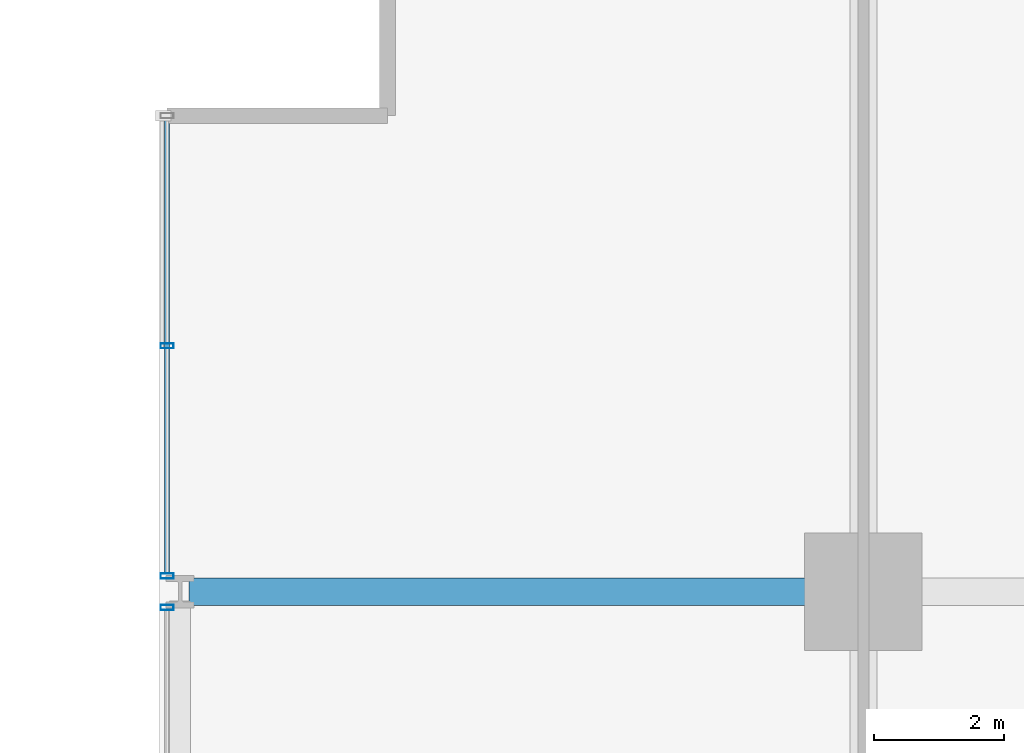
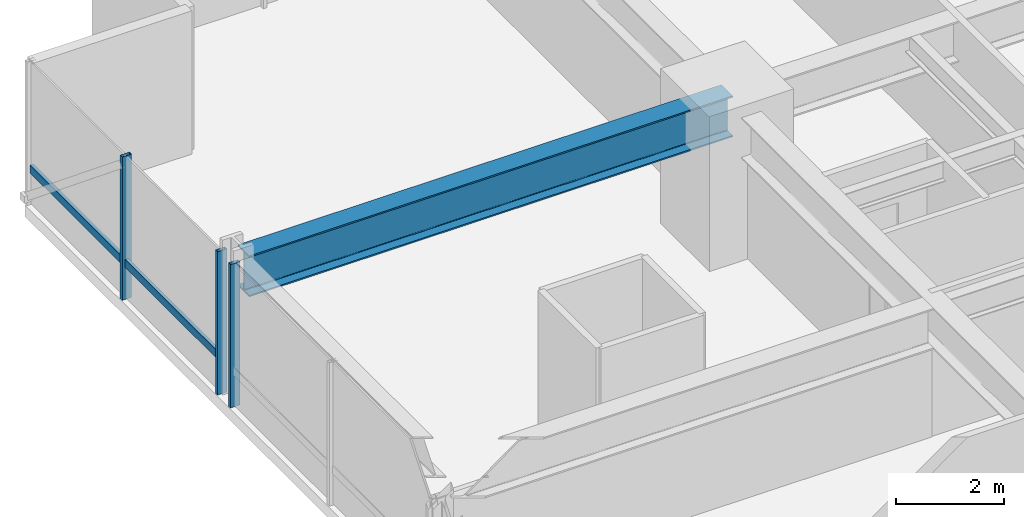
# One storey, part 19 of 42: 4 members, 1 beam, 2 elements without a shape of their own.
"""IFC4 building model written with IfcOpenShell, lengths in metres."""

import ifcopenshell
import ifcopenshell.guid

model = None  # the IFC model being written
_history = None  # IfcOwnerHistory: only IFC2X3 demands one
_inside = {}  # id of a spatial element -> (the spatial element, [elements in it])
_under = {}  # id of a project, library or spatial element -> (it, [spatial elements below it])
_declared = {}  # id of a project -> (the project, [libraries it declares])
_typed = {}  # id of a type object -> (the type object, [elements of that type])
_made_of = {}  # id of a material, layer set ... -> (it, [elements and type objects made of it])


def new_model(schema):
    """Start an empty IFC model of exactly this schema.

    Asked for "IFC4X3", IfcOpenShell would pick the latest addendum, in which some entities
    have other attributes; the version numbers below select the first issue.
    IFC2X3 requires an IfcOwnerHistory on every rooted entity: one is made here for all.
    """
    global model, _history
    if schema == "IFC4X3":
        model = ifcopenshell.file(schema_version=(4, 3, 0, 0))
    else:
        model = ifcopenshell.file(schema=schema)
    _inside.clear()
    _under.clear()
    _declared.clear()
    _typed.clear()
    _made_of.clear()
    _history = None
    if model.schema == "IFC2X3":
        org = make("IfcOrganization", Name="unknown")
        user = make(
            "IfcPersonAndOrganization",
            ThePerson=make("IfcPerson", FamilyName="unknown"),
            TheOrganization=org,
        )
        app = make(
            "IfcApplication",
            ApplicationDeveloper=org,
            Version="unknown",
            ApplicationFullName="unknown",
            ApplicationIdentifier="unknown",
        )
        _history = make(
            "IfcOwnerHistory",
            OwningUser=user,
            OwningApplication=app,
            ChangeAction="ADDED",
            CreationDate=0,
        )
    return model


def make(cls, **values):
    """One entity of the class cls with the attributes given. An attribute that is None is left unset."""
    return model.create_entity(
        cls, **{name: value for name, value in values.items() if value is not None}
    )


def rooted(cls, **values):
    """An entity with a GlobalId (a new one), such as an element, a storey or a relation."""
    return make(cls, GlobalId=ifcopenshell.guid.new(), OwnerHistory=_history, **values)


def si_unit(unit_type, name, prefix=None):
    """IfcSIUnit, for example si_unit("LENGTHUNIT", "METRE", prefix="MILLI")."""
    return make("IfcSIUnit", UnitType=unit_type, Prefix=prefix, Name=name)


def assignment(units):
    """IfcUnitAssignment: the units of a project."""
    return None if units is None else make("IfcUnitAssignment", Units=units)


def point(xyz):
    """IfcCartesianPoint."""
    return None if xyz is None else make("IfcCartesianPoint", Coordinates=xyz)


def direction(xyz):
    """IfcDirection."""
    return None if xyz is None else make("IfcDirection", DirectionRatios=xyz)


def frame(location, z_axis=None, x_axis=None):
    """IfcAxis2Placement3D, a coordinate frame: its origin and axes. An axis left out is left unset."""
    return make(
        "IfcAxis2Placement3D",
        Location=point(location),
        Axis=direction(z_axis),
        RefDirection=direction(x_axis),
    )


def frame_2d(location, x_axis=None):
    """IfcAxis2Placement2D, a coordinate frame in the plane: its origin and x axis."""
    return make(
        "IfcAxis2Placement2D", Location=point(location), RefDirection=direction(x_axis)
    )


def origin():
    """The frame at (0, 0, 0) with its axes left unset."""
    return frame((0.0, 0.0, 0.0))


def origin_2d():
    """The frame at (0, 0) in the plane with its x axis left unset."""
    return frame_2d((0.0, 0.0))


def place(relative_to, where):
    """IfcLocalPlacement: puts the frame where relative to a parent placement (None: the world)."""
    return make(
        "IfcLocalPlacement", PlacementRelTo=relative_to, RelativePlacement=where
    )


def context(
    kind, dimensions, precision=None, world=None, true_north=None, identifier=None
):
    """IfcGeometricRepresentationContext, for example the 3D "Model" context."""
    return make(
        "IfcGeometricRepresentationContext",
        ContextIdentifier=identifier,
        ContextType=kind,
        CoordinateSpaceDimension=dimensions,
        Precision=precision,
        WorldCoordinateSystem=world,
        TrueNorth=true_north,
    )


def subcontext(parent, identifier, kind, view, scale=None):
    """IfcGeometricRepresentationSubContext, for example "Body" below "Model"."""
    return make(
        "IfcGeometricRepresentationSubContext",
        ContextIdentifier=identifier,
        ContextType=kind,
        ParentContext=parent,
        TargetScale=scale,
        TargetView=view,
    )


def project(units=None, contexts=None):
    """IfcProject with its units and contexts."""
    return rooted(
        "IfcProject",
        Name="project",
        RepresentationContexts=contexts,
        UnitsInContext=assignment(units),
    )


def spatial(cls, under=None, at=None, **own):
    """A site, building, storey or space (cls), placed at a placement, below another one or the project."""
    s = rooted(cls, ObjectPlacement=at, **own)
    if under is not None:
        _under.setdefault(under.id(), (under, []))[1].append(s)
    return s


def profile(cls, at=None, kind="AREA", **sizes):
    """A parametric profile (cls). Its sizes go by their IFC names, for example OverallWidth=200.0."""
    return make(cls, ProfileType=kind, Position=at, **sizes)


def hollow_rectangle(**sizes):
    """IfcRectangleHollowProfileDef."""
    return profile("IfcRectangleHollowProfileDef", **sizes)


def i_section(**sizes):
    """IfcIShapeProfileDef."""
    return profile("IfcIShapeProfileDef", **sizes)


def extrude(swept, where, along, depth):
    """IfcExtrudedAreaSolid: the profile swept, set in the frame where, extruded along a direction by depth."""
    return make(
        "IfcExtrudedAreaSolid",
        SweptArea=swept,
        Position=where,
        ExtrudedDirection=direction(along),
        Depth=depth,
    )


def shape(context_of_items, identifier, shape_type, items):
    """IfcShapeRepresentation: the items that make up one representation, for example the "Body"."""
    return make(
        "IfcShapeRepresentation",
        ContextOfItems=context_of_items,
        RepresentationIdentifier=identifier,
        RepresentationType=shape_type,
        Items=items,
    )


def material(Name=None, Category=None):
    """IfcMaterial."""
    return make("IfcMaterial", Name=Name, Category=Category)


def layer(
    of_material, thickness, ventilated=None, Name=None, Category=None, Priority=None
):
    """IfcMaterialLayer: one layer of a wall or slab, of a material (None: an air gap)."""
    return make(
        "IfcMaterialLayer",
        Material=of_material,
        LayerThickness=thickness,
        IsVentilated=ventilated,
        Name=Name,
        Category=Category,
        Priority=Priority,
    )


def layer_set(layers, Name=None):
    """IfcMaterialLayerSet."""
    return make("IfcMaterialLayerSet", MaterialLayers=layers, LayerSetName=Name)


def material_profile(
    of_material, cross_section, Name=None, Category=None, Priority=None
):
    """IfcMaterialProfile: a cross section and its material."""
    return make(
        "IfcMaterialProfile",
        Name=Name,
        Material=of_material,
        Profile=cross_section,
        Priority=Priority,
        Category=Category,
    )


def profile_set(profiles, Name=None, composite=None):
    """IfcMaterialProfileSet."""
    return make(
        "IfcMaterialProfileSet",
        Name=Name,
        MaterialProfiles=profiles,
        CompositeProfile=composite,
    )


def made_of(thing, what):
    """Note that an element or type object is made of a material, layer set ...; save() writes the relation."""
    if what is not None:
        _made_of.setdefault(what.id(), (what, []))[1].append(thing)
    return thing


def type_object(cls, material=None, **own):
    """A type object (cls), such as IfcWallType, which elements share."""
    return made_of(rooted(cls, **own), material)


def element(
    cls,
    number,
    at=None,
    inside=None,
    cuts=None,
    type_object=None,
    material=None,
    context=None,
    identifier="Body",
    shape_type=None,
    held_by="IfcProductDefinitionShape",
    body=None,
    shapes=None,
    **own,
):
    """One element of the class cls, such as IfcWall. Its Tag is "e" and its number.

    at: its placement. inside: the storey or other place that contains it. cuts: it is an
    opening in that element (IfcRelVoidsElement). A single representation is given by context,
    identifier, shape_type and body (its items); several are given by shapes. held_by: the class
    of the entity that holds the representations. save() writes the other relations.
    """
    e = rooted(cls, Tag="e%d" % number, ObjectPlacement=at, **own)
    if body is not None:
        shapes = [shape(context, identifier, shape_type, body)]
    if shapes is not None:
        e.Representation = make(held_by, Representations=shapes)
    if inside is not None:
        _inside.setdefault(inside.id(), (inside, []))[1].append(e)
    if cuts is not None:
        rooted(
            "IfcRelVoidsElement", RelatingBuildingElement=cuts, RelatedOpeningElement=e
        )
    if type_object is not None:
        _typed.setdefault(type_object.id(), (type_object, []))[1].append(e)
    return made_of(e, material)


def aggregate(whole, parts):
    """IfcRelAggregates: a whole, such as a stair, and the parts it consists of."""
    return rooted("IfcRelAggregates", RelatingObject=whole, RelatedObjects=parts)


def save(model, path):
    """Write the relations noted so far, then the file.

    IfcRelAggregates (storeys below a building ...), IfcRelContainedInSpatialStructure (elements
    in a storey), IfcRelDefinesByType, IfcRelAssociatesMaterial and IfcRelDeclares: one each for
    every whole, place, type object, material and project.
    """
    for whole, parts in _under.values():
        aggregate(whole, parts)
    for where, things in _inside.values():
        rooted(
            "IfcRelContainedInSpatialStructure",
            RelatedElements=things,
            RelatingStructure=where,
        )
    for kind, things in _typed.values():
        rooted("IfcRelDefinesByType", RelatedObjects=things, RelatingType=kind)
    for what, things in _made_of.values():
        rooted("IfcRelAssociatesMaterial", RelatedObjects=things, RelatingMaterial=what)
    for by, libraries in _declared.values():
        rooted("IfcRelDeclares", RelatingContext=by, RelatedDefinitions=libraries)
    model.write(path)


model = new_model("IFC4")

# Units and contexts
model_context = context("Model", 3, precision=1e-05, world=origin(), true_north=direction((0.0, 1.0)))
body_context = subcontext(model_context, "Body", "Model", "MODEL_VIEW")
ifc_project = project(units=[si_unit("LENGTHUNIT", "METRE"), si_unit("AREAUNIT", "SQUARE_METRE"), si_unit("VOLUMEUNIT", "CUBIC_METRE"), si_unit("PLANEANGLEUNIT", "RADIAN"), si_unit("MASSUNIT", "GRAM", prefix="KILO")], contexts=[model_context])

# Site, building, storey
site_placement = place(None, origin())
site = spatial("IfcSite", under=ifc_project, at=site_placement, CompositionType="ELEMENT")
building_placement = place(site_placement, origin())
building = spatial("IfcBuilding", under=site, at=building_placement, Name="Drelvath Grand Hotel", CompositionType="ELEMENT")
storey_placement = place(building_placement, frame((0.0, 0.0, 33.199951171875)))
storey = spatial("IfcBuildingStorey", under=building, at=storey_placement, Name="L06", CompositionType="ELEMENT", Elevation=33.199951171875)

# Curtain wall, member
ifc_material_1 = material(Name="Warm Bronze Anodised Aluminium Frame", Category="aluminium")
ifc_layer = layer(ifc_material_1, 0.199951171875)
ifc_layer_set = layer_set([ifc_layer], Name="Warm Bronze Anodised Aluminium Frame")
curtain_wall_type = type_object("IfcCurtainWallType", Name="Stick Curtain Wall CW-02 Warm Bronze Low-Rise", PredefinedType="NOTDEFINED", material=ifc_layer_set)
curtain_wall_1_placement = place(storey_placement, origin())
curtain_wall_1 = element("IfcCurtainWall", 1, at=curtain_wall_1_placement, inside=storey, type_object=curtain_wall_type, Name="L06 CW-02 Curtain Wall CW02-L06-WN3", PredefinedType="NOTDEFINED")
ifc_material_profile_1 = material_profile(ifc_material_1, hollow_rectangle(XDim=0.074951171875, YDim=0.179931640625, WallThickness=0.0048828125, at=origin_2d()), Name="HSS180X75X5")
ifc_profile_set_1 = profile_set([ifc_material_profile_1], Name="Warm Bronze Anodised Aluminium Frame")
member_type_1 = type_object("IfcMemberType", Name="Curtain Wall Horizontal Transom CW-02 HSS180X75X5", PredefinedType="USERDEFINED", material=ifc_profile_set_1)
member_1_placement = place(storey_placement, frame((-26.8798828125, 43.48095703125, 0.81005859375), z_axis=(0.0, 1.0, 0.0), x_axis=(-1.0, 0.0, 0.0)))
member_1 = element("IfcMember", 2, at=member_1_placement, type_object=member_type_1, Name="CW02-L06-WN3 Sill Transom", ObjectType="TRANSOM", PredefinedType="USERDEFINED", context=body_context, shape_type="SweptSolid", body=[
    extrude(hollow_rectangle(XDim=0.074951171875, YDim=0.179931640625, WallThickness=0.0048828125, at=origin_2d()), origin(), (0.0, 0.0, 1.0), 6.97900390625),
])

curtain_wall_2_placement = place(storey_placement, origin())
curtain_wall_2 = element("IfcCurtainWall", 3, at=curtain_wall_2_placement, inside=storey, type_object=curtain_wall_type, Name="L06 CW-02 Curtain Wall CW02-L06-WN2", PredefinedType="NOTDEFINED")
ifc_material_profile_2 = material_profile(ifc_material_1, hollow_rectangle(XDim=0.080078125, YDim=0.199951171875, WallThickness=0.0048828125, at=origin_2d()), Name="HSS200X80X5")
ifc_profile_set_2 = profile_set([ifc_material_profile_2], Name="Warm Bronze Anodised Aluminium Frame")
member_type_2 = type_object("IfcMemberType", Name="Curtain Wall Vertical Mullion CW-02 HSS200X80X5", PredefinedType="MULLION", material=ifc_profile_set_2)
member_2_placement = place(storey_placement, frame((-26.8798828125, 42.958984375, 0.0), z_axis=(0.0, 0.0, 1.0), x_axis=(0.0, 1.0, 0.0)))
member_2 = element("IfcMember", 4, at=member_2_placement, type_object=member_type_2, Name="CW02-L06-WN2 Mullion 3", PredefinedType="MULLION", context=body_context, shape_type="SweptSolid", body=[
    extrude(hollow_rectangle(XDim=0.080078125, YDim=0.199951171875, WallThickness=0.0048828125, at=origin_2d()), origin(), (0.0, 0.0, 1.0), 3.239990234375),
])
aggregate(curtain_wall_2, [member_2])

# Member
member_3_placement = place(storey_placement, frame((-26.8798828125, 43.44091796875, 0.0), z_axis=(0.0, 0.0, 1.0), x_axis=(0.0, 1.0, 0.0)))
member_3 = element("IfcMember", 5, at=member_3_placement, type_object=member_type_2, Name="CW02-L06-WN3 Mullion 1", PredefinedType="MULLION", context=body_context, shape_type="SweptSolid", body=[
    extrude(hollow_rectangle(XDim=0.080078125, YDim=0.199951171875, WallThickness=0.0048828125, at=origin_2d()), origin(), (0.0, 0.0, 1.0), 3.239990234375),
])

member_4_placement = place(storey_placement, frame((-26.8798828125, 46.970458984375, 0.0), z_axis=(0.0, 0.0, 1.0), x_axis=(0.0, 1.0, 0.0)))
member_4 = element("IfcMember", 6, at=member_4_placement, type_object=member_type_2, Name="CW02-L06-WN3 Mullion 2", PredefinedType="MULLION", context=body_context, shape_type="SweptSolid", body=[
    extrude(hollow_rectangle(XDim=0.080078125, YDim=0.199951171875, WallThickness=0.0048828125, at=origin_2d()), origin(), (0.0, 0.0, 1.0), 3.239990234375),
])

aggregate(curtain_wall_1, [member_3, member_4, member_1])

# Beam
ifc_material_2 = material(Name="Steel ASTM A992 Gr 50", Category="steel")
ifc_material_profile_3 = material_profile(ifc_material_2, i_section(OverallWidth=0.418212890625, OverallDepth=0.926513671875, WebThickness=0.019287109375, FlangeThickness=0.031982421875, FilletRadius=0.028076171875, at=origin_2d()), Name="W36X231")
ifc_profile_set_3 = profile_set([ifc_material_profile_3], Name="Steel ASTM A992 Gr 50")
beam_type = type_object("IfcBeamType", Name="Primary Floor Girder W36X231", PredefinedType="BEAM", material=ifc_profile_set_3)
beam_placement = place(storey_placement, frame((-26.5400390625, 43.199951171875, 2.77685546875), z_axis=(1.0, 0.0, 0.0), x_axis=(0.0, 1.0, 0.0)))
element("IfcBeam", 7, at=beam_placement, inside=storey, type_object=beam_type, Name="L06 West Grid Girder G", PredefinedType="BEAM", context=body_context, shape_type="SweptSolid", body=[
    extrude(i_section(OverallWidth=0.418212890625, OverallDepth=0.926513671875, WebThickness=0.019287109375, FlangeThickness=0.031982421875, FilletRadius=0.028076171875, at=origin_2d()), origin(), (0.0, 0.0, 1.0), 10.340087890625),
])

save(model, "model.ifc")
